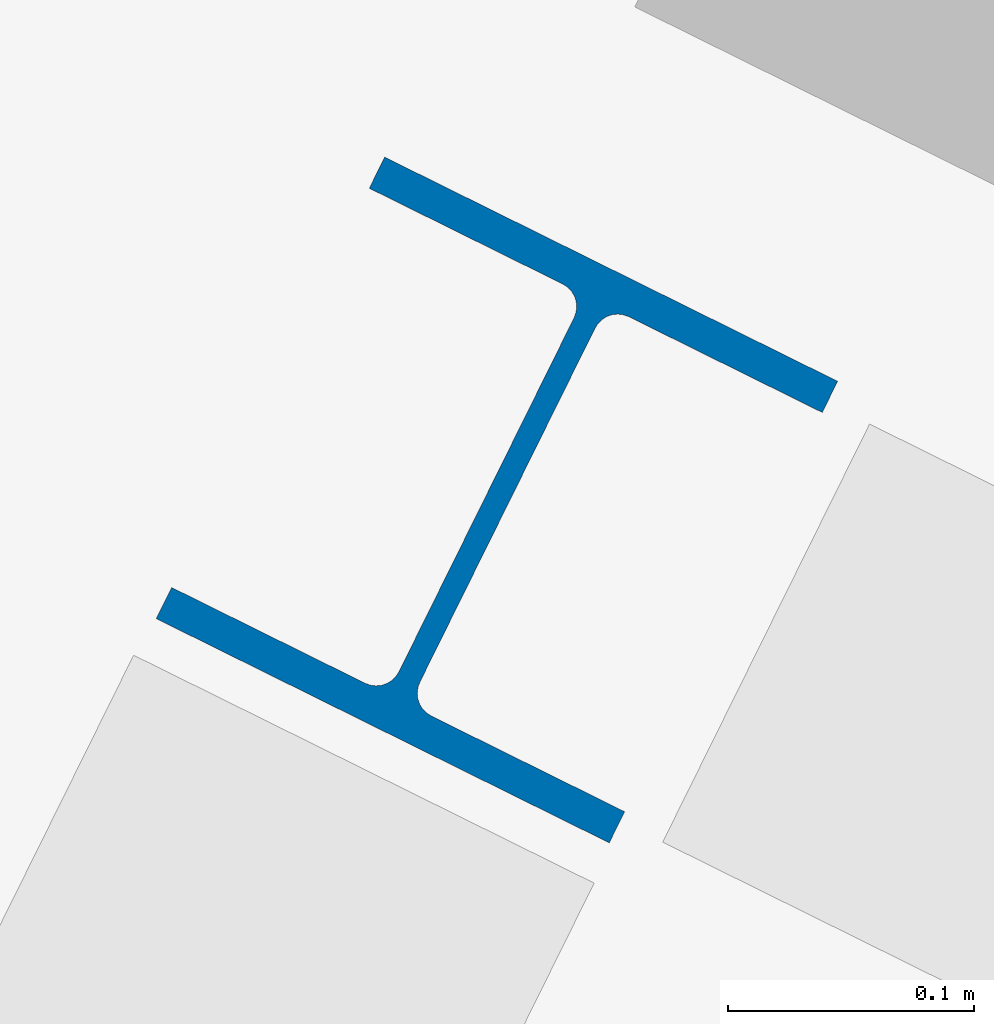
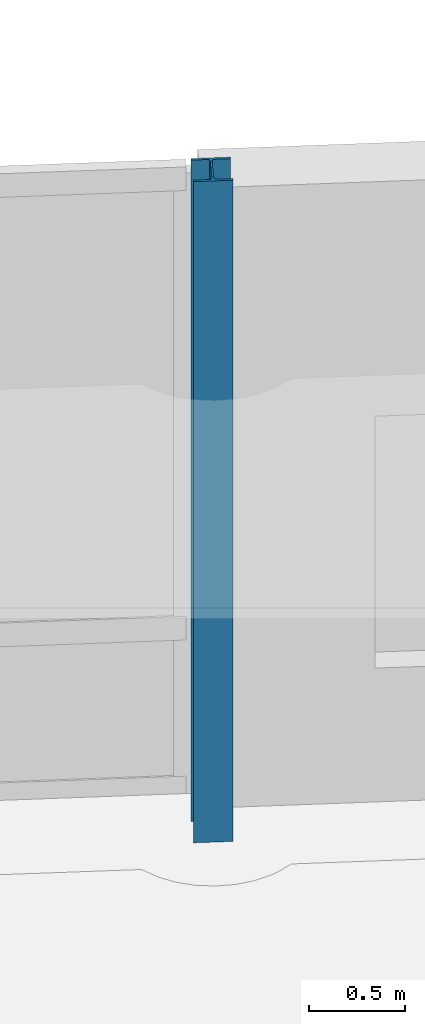
# One storey, part 25 of 125: 1 column.
"""IFC4 building model written with IfcOpenShell, lengths in metres."""

from ifc_helpers import new_model, si_unit, direction, frame, origin, origin_2d, place, context, subcontext, project, spatial, i_section, extrude, material, material_profile, profile_set, type_object, element, save


model = new_model("IFC4")

# Units and contexts
model_context = context("Model", 3, precision=1e-05, world=origin(), true_north=direction((0.0, 1.0)))
body_context = subcontext(model_context, "Body", "Model", "MODEL_VIEW")
ifc_project = project(units=[si_unit("LENGTHUNIT", "METRE"), si_unit("AREAUNIT", "SQUARE_METRE"), si_unit("VOLUMEUNIT", "CUBIC_METRE"), si_unit("PLANEANGLEUNIT", "RADIAN"), si_unit("MASSUNIT", "GRAM", prefix="KILO")], contexts=[model_context])

# Site, building, storey
site_placement = place(None, origin())
site = spatial("IfcSite", under=ifc_project, at=site_placement, CompositionType="ELEMENT")
building_placement = place(site_placement, origin())
building = spatial("IfcBuilding", under=site, at=building_placement, Name="Wrenclough Park School", CompositionType="ELEMENT")
storey_placement = place(building_placement, frame((0.0, 0.0, 4.199951171875)))
storey = spatial("IfcBuildingStorey", under=building, at=storey_placement, Name="L01", CompositionType="ELEMENT", Elevation=4.199951171875)

# Column
ifc_material = material(Name="Structural steel S355", Category="steel")
ifc_material_profile = material_profile(ifc_material, i_section(OverallWidth=0.205810546875, OverallDepth=0.209716796875, WebThickness=0.009521484375, FlangeThickness=0.01416015625, FilletRadius=0.01025390625, at=origin_2d()), Name="UKC 203x203x60")
ifc_profile_set = profile_set([ifc_material_profile], Name="Structural steel S355")
column_type = type_object("IfcColumnType", Name="STR-COL-UKC203B", PredefinedType="COLUMN", material=ifc_profile_set)
column_placement = place(storey_placement, frame((133.880859375, 118.1748046875, 0.0), z_axis=(0.0, 0.0, 1.0), x_axis=(0.896254315973, -0.443540529265, 0.0)))
element("IfcColumn", 1, at=column_placement, inside=storey, type_object=column_type, Name="W45 L01 column W45-C2-L01", PredefinedType="COLUMN", context=body_context, shape_type="SweptSolid", body=[
    extrude(i_section(OverallWidth=0.205810546875, OverallDepth=0.209716796875, WebThickness=0.009521484375, FlangeThickness=0.01416015625, FilletRadius=0.01025390625, at=origin_2d()), origin(), (0.0, 0.0, 1.0), 4.199951171875),
])

save(model, "model.ifc")
